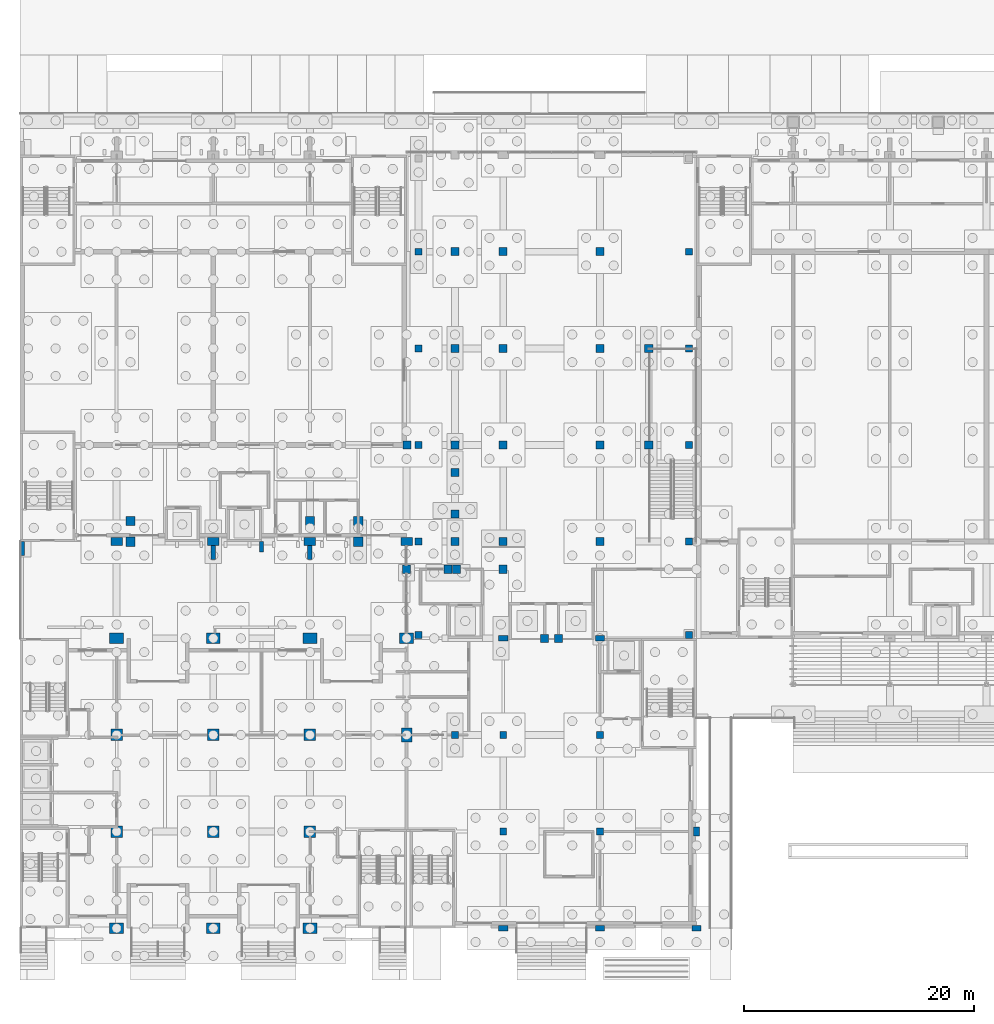
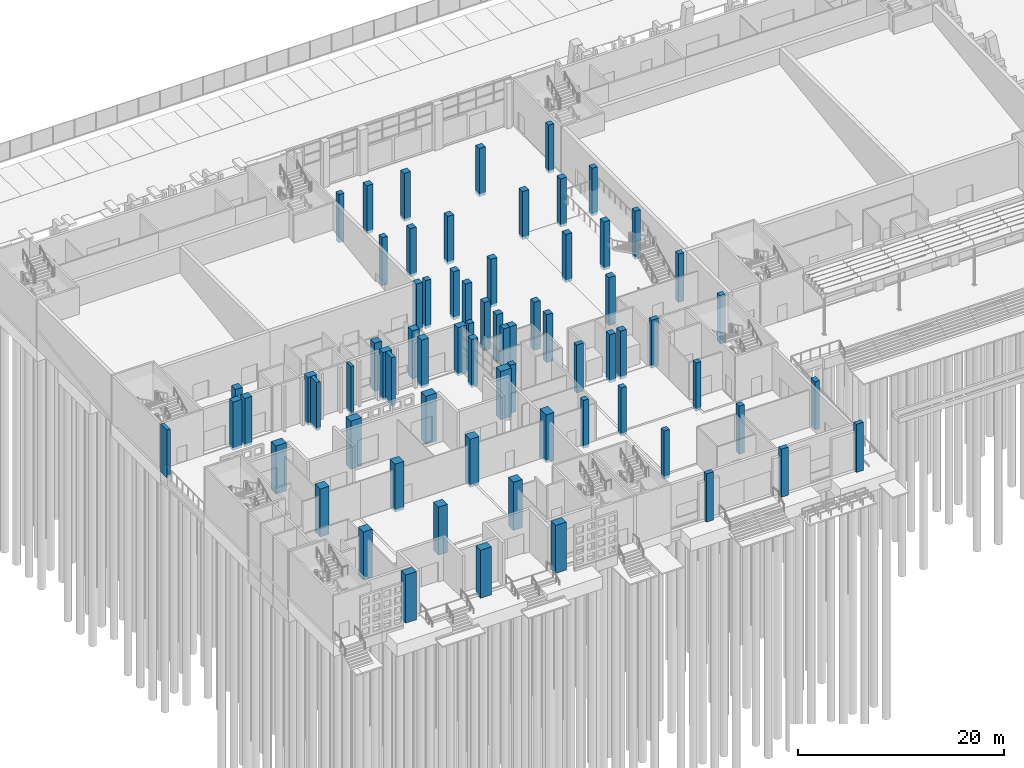
# One storey, part 13 of 129: 71 columns.
"""IFC4 building model written with IfcOpenShell, lengths in metres."""

from ifc_helpers import new_model, si_unit, direction, frame, origin, origin_2d, place, context, subcontext, project, spatial, rectangle, extrude, material, material_profile, profile_set, type_object, element, save


model = new_model("IFC4")

# Units and contexts
model_context = context("Model", 3, precision=1e-05, world=origin(), true_north=direction((0.0, 1.0)))
body_context = subcontext(model_context, "Body", "Model", "MODEL_VIEW")
ifc_project = project(units=[si_unit("LENGTHUNIT", "METRE"), si_unit("AREAUNIT", "SQUARE_METRE"), si_unit("VOLUMEUNIT", "CUBIC_METRE"), si_unit("PLANEANGLEUNIT", "RADIAN"), si_unit("MASSUNIT", "GRAM", prefix="KILO")], contexts=[model_context])

# Site, building, storey
site_placement = place(None, origin())
site = spatial("IfcSite", under=ifc_project, at=site_placement, CompositionType="ELEMENT")
building_placement = place(site_placement, origin())
building = spatial("IfcBuilding", under=site, at=building_placement, Name="Kiln Court Media Centre", CompositionType="ELEMENT")
storey_placement = place(building_placement, origin())
storey = spatial("IfcBuildingStorey", under=building, at=storey_placement, Name="L00", CompositionType="ELEMENT", Elevation=0.0)

# Columns
ifc_material_1 = material(Name="Concrete C40/50", Category="concrete")
ifc_material_profile_1 = material_profile(ifc_material_1, rectangle(XDim=1.0, YDim=1.0, at=origin_2d()), Name="RC 1000x1000")
ifc_profile_set_1 = profile_set([ifc_material_profile_1], Name="Concrete C40/50")
column_type_1 = type_object("IfcColumnType", Name="Concrete C40/50 column 1000x1000", PredefinedType="COLUMN", material=ifc_profile_set_1)
for number, where, z_axis, x_axis, name in (
    (1, (8.39990234375, 8.39990234375, -0.300048828125), (0.0, 0.0, 1.0), (1.0, 0.0, 0.0), "L00-C-1001"),
    (2, (8.39990234375, 16.800048828125, -0.300048828125), (0.0, 0.0, 1.0), (1.0, 0.0, 0.0), "L00-C-1002"),
    (3, (16.800048828125, 8.39990234375, -0.300048828125), (0.0, 0.0, 1.0), (1.0, 0.0, 0.0), "L00-C-1005"),
    (4, (16.800048828125, 16.800048828125, -0.300048828125), (0.0, 0.0, 1.0), (1.0, 0.0, 0.0), "L00-C-1006"),
    (5, (25.199951171875, 8.39990234375, -0.300048828125), (0.0, 0.0, 1.0), (1.0, 0.0, 0.0), "L00-C-1009"),
    (6, (25.199951171875, 16.800048828125, -0.300048828125), (0.0, 0.0, 1.0), (1.0, 0.0, 0.0), "L00-C-1010"),
):
    element("IfcColumn", number, at=place(storey_placement, frame(where, z_axis=z_axis, x_axis=x_axis)), inside=storey, type_object=column_type_1, Name=name, PredefinedType="COLUMN", context=body_context, shape_type="SweptSolid", body=[
        extrude(rectangle(XDim=1.0, YDim=1.0, at=origin_2d()), origin(), (0.0, 0.0, 1.0), 5.699951171875),
    ])
ifc_material_2 = material(Name="Concrete C40/50", Category="concrete")
ifc_material_profile_2 = material_profile(ifc_material_2, rectangle(XDim=1.0, YDim=0.699951171875, at=origin_2d()), Name="RC 1000x700")
ifc_profile_set_2 = profile_set([ifc_material_profile_2], Name="Concrete C40/50")
column_type_2 = type_object("IfcColumnType", Name="Concrete C40/50 column 1000x700", PredefinedType="COLUMN", material=ifc_profile_set_2)
for number, where, z_axis, x_axis, name in (
    (7, (8.39990234375, 33.60009765625, -0.300048828125), (0.0, 0.0, 1.0), (1.0, 0.0, 0.0), "L00-C-1024"),
    (8, (16.800048828125, 33.60009765625, -0.300048828125), (0.0, 0.0, 1.0), (1.0, 0.0, 0.0), "L00-C-1026"),
    (9, (25.199951171875, 33.60009765625, -0.300048828125), (0.0, 0.0, 1.0), (1.0, 0.0, 0.0), "L00-C-1028"),
    (10, (33.60009765625, 33.60009765625, -0.300048828125), (0.0, 0.0, 1.0), (1.0, 0.0, 0.0), "L00-C-1030"),
):
    element("IfcColumn", number, at=place(storey_placement, frame(where, z_axis=z_axis, x_axis=x_axis)), inside=storey, type_object=column_type_2, Name=name, PredefinedType="COLUMN", context=body_context, shape_type="SweptSolid", body=[
        extrude(rectangle(XDim=1.0, YDim=0.699951171875, at=origin_2d()), origin(), (0.0, 0.0, 1.0), 5.699951171875),
    ])
ifc_material_3 = material(Name="Concrete C40/50", Category="concrete")
ifc_material_profile_3 = material_profile(ifc_material_3, rectangle(XDim=1.199951171875, YDim=0.89990234375, at=origin_2d()), Name="RC 1200x900")
ifc_profile_set_3 = profile_set([ifc_material_profile_3], Name="Concrete C40/50")
column_type_3 = type_object("IfcColumnType", Name="Concrete C40/50 column 1200x900", PredefinedType="COLUMN", material=ifc_profile_set_3)
for number, where, z_axis, x_axis, name in (
    (11, (8.39990234375, 0.0, -0.300048828125), (0.0, 0.0, 1.0), (1.0, 0.0, 0.0), "L00-C-1000"),
    (12, (8.39990234375, 25.199951171875, -0.300048828125), (0.0, 0.0, 1.0), (1.0, 0.0, 0.0), "L00-C-1003"),
    (13, (16.800048828125, 0.0, -0.300048828125), (0.0, 0.0, 1.0), (1.0, 0.0, 0.0), "L00-C-1004"),
    (14, (16.800048828125, 25.199951171875, -0.300048828125), (0.0, 0.0, 1.0), (1.0, 0.0, 0.0), "L00-C-1007"),
    (15, (25.199951171875, 0.0, -0.300048828125), (0.0, 0.0, 1.0), (1.0, 0.0, 0.0), "L00-C-1008"),
    (16, (25.199951171875, 25.199951171875, -0.300048828125), (0.0, 0.0, 1.0), (1.0, 0.0, 0.0), "L00-C-1011"),
    (17, (33.60009765625, 16.800048828125, -0.300048828125), (0.0, 0.0, 1.0), (0.0, 1.0, 0.0), "L00-C-1012"),
    (18, (33.60009765625, 25.199951171875, -0.300048828125), (0.0, 0.0, 1.0), (1.0, 0.0, 0.0), "L00-C-1013"),
):
    element("IfcColumn", number, at=place(storey_placement, frame(where, z_axis=z_axis, x_axis=x_axis)), inside=storey, type_object=column_type_3, Name=name, PredefinedType="COLUMN", context=body_context, shape_type="SweptSolid", body=[
        extrude(rectangle(XDim=1.199951171875, YDim=0.89990234375, at=origin_2d()), origin(), (0.0, 0.0, 1.0), 5.699951171875),
    ])
ifc_material_4 = material(Name="Concrete C40/50", Category="concrete")
ifc_material_profile_4 = material_profile(ifc_material_4, rectangle(XDim=0.60009765625, YDim=0.60009765625, at=origin_2d()), Name="RC 600x600")
ifc_profile_set_4 = profile_set([ifc_material_profile_4], Name="Concrete C40/50")
column_type_4 = type_object("IfcColumnType", Name="Concrete C40/50 column 600x600", PredefinedType="COLUMN", material=ifc_profile_set_4)
for number, where, z_axis, x_axis, name in (
    (19, (42.0, 8.39990234375, -0.300048828125), (0.0, 0.0, 1.0), (1.0, 0.0, 0.0), "L00-C-1015"),
    (20, (42.0, 16.800048828125, -0.300048828125), (0.0, 0.0, 1.0), (1.0, 0.0, 0.0), "L00-C-1016"),
    (21, (50.39990234375, 8.39990234375, -0.300048828125), (0.0, 0.0, 1.0), (1.0, 0.0, 0.0), "L00-C-1019"),
    (22, (50.39990234375, 16.800048828125, -0.300048828125), (0.0, 0.0, 1.0), (1.0, 0.0, 0.0), "L00-C-1020"),
    (23, (34.64990234375, 25.5, -0.300048828125), (0.0, 0.0, 1.0), (1.0, 0.0, 0.0), "L00-C-1068"),
    (24, (34.64990234375, 33.60009765625, -0.300048828125), (0.0, 0.0, 1.0), (1.0, 0.0, 0.0), "L00-C-1069"),
    (25, (34.64990234375, 42.0, -0.300048828125), (0.0, 0.0, 1.0), (1.0, 0.0, 0.0), "L00-C-1070"),
    (26, (34.64990234375, 50.39990234375, -0.300048828125), (0.0, 0.0, 1.0), (1.0, 0.0, 0.0), "L00-C-1071"),
    (27, (34.64990234375, 58.800048828125, -0.300048828125), (0.0, 0.0, 1.0), (1.0, 0.0, 0.0), "L00-C-1072"),
    (28, (58.14990234375, 25.5, -0.300048828125), (0.0, 0.0, 1.0), (1.0, 0.0, 0.0), "L00-C-1074"),
    (29, (58.14990234375, 33.60009765625, -0.300048828125), (0.0, 0.0, 1.0), (1.0, 0.0, 0.0), "L00-C-1075"),
    (30, (58.14990234375, 42.0, -0.300048828125), (0.0, 0.0, 1.0), (1.0, 0.0, 0.0), "L00-C-1076"),
    (31, (58.14990234375, 50.39990234375, -0.300048828125), (0.0, 0.0, 1.0), (1.0, 0.0, 0.0), "L00-C-1077"),
    (32, (58.14990234375, 58.800048828125, -0.300048828125), (0.0, 0.0, 1.0), (1.0, 0.0, 0.0), "L00-C-1078"),
    (33, (37.801025390625, 16.800048828125, -0.300048828125), (0.0, 0.0, 1.0), (1.0, 0.0, 0.0), "L00-C-1117"),
):
    element("IfcColumn", number, at=place(storey_placement, frame(where, z_axis=z_axis, x_axis=x_axis)), inside=storey, type_object=column_type_4, Name=name, PredefinedType="COLUMN", context=body_context, shape_type="SweptSolid", body=[
        extrude(rectangle(XDim=0.60009765625, YDim=0.60009765625, at=origin_2d()), origin(), (0.0, 0.0, 1.0), 5.699951171875),
    ])
ifc_material_5 = material(Name="Concrete C40/50", Category="concrete")
ifc_material_profile_5 = material_profile(ifc_material_5, rectangle(XDim=0.699951171875, YDim=0.699951171875, at=origin_2d()), Name="RC 700x700")
ifc_profile_set_5 = profile_set([ifc_material_profile_5], Name="Concrete C40/50")
column_type_5 = type_object("IfcColumnType", Name="Concrete C40/50 column 700x700", PredefinedType="COLUMN", material=ifc_profile_set_5)
for number, where, z_axis, x_axis, name in (
    (34, (42.0, 33.60009765625, -0.300048828125), (0.0, 0.0, 1.0), (1.0, 0.0, 0.0), "L00-C-1031"),
    (35, (42.0, 42.0, -0.300048828125), (0.0, 0.0, 1.0), (1.0, 0.0, 0.0), "L00-C-1032"),
    (36, (42.0, 50.39990234375, -0.300048828125), (0.0, 0.0, 1.0), (1.0, 0.0, 0.0), "L00-C-1033"),
    (37, (42.0, 58.800048828125, -0.300048828125), (0.0, 0.0, 1.0), (1.0, 0.0, 0.0), "L00-C-1034"),
    (38, (50.39990234375, 33.60009765625, -0.300048828125), (0.0, 0.0, 1.0), (1.0, 0.0, 0.0), "L00-C-1036"),
    (39, (50.39990234375, 42.0, -0.300048828125), (0.0, 0.0, 1.0), (1.0, 0.0, 0.0), "L00-C-1037"),
    (40, (50.39990234375, 50.39990234375, -0.300048828125), (0.0, 0.0, 1.0), (1.0, 0.0, 0.0), "L00-C-1038"),
    (41, (50.39990234375, 58.800048828125, -0.300048828125), (0.0, 0.0, 1.0), (1.0, 0.0, 0.0), "L00-C-1039"),
    (42, (33.60009765625, 31.200927734375, -0.300048828125), (0.0, 0.0, 1.0), (1.0, 0.0, 0.0), "L00-C-1094"),
    (43, (37.199951171875, 31.199951171875, -0.300048828125), (0.0, 0.0, 1.0), (1.0, 0.0, 0.0), "L00-C-1095"),
    (44, (42.0, 31.200927734375, -0.300048828125), (0.0, 0.0, 1.0), (1.0, 0.0, 0.0), "L00-C-1096"),
    (45, (54.65087890625, 42.0, -0.300048828125), (0.0, 0.0, 1.0), (1.0, 0.0, 0.0), "L00-C-1097"),
    (46, (54.65087890625, 50.39990234375, -0.300048828125), (0.0, 0.0, 1.0), (1.0, 0.0, 0.0), "L00-C-1098"),
    (47, (37.919921875, 31.199951171875, -0.300048828125), (0.0, 0.0, 1.0), (1.0, 0.0, 0.0), "L00-C-1099"),
    (48, (37.800048828125, 36.0, -0.300048828125), (0.0, 0.0, 1.0), (1.0, 0.0, 0.0), "L00-C-1100"),
    (49, (37.800048828125, 39.60009765625, -0.300048828125), (0.0, 0.0, 1.0), (1.0, 0.0, 0.0), "L00-C-1101"),
    (50, (37.801025390625, 33.60009765625, -0.300048828125), (0.0, 0.0, 1.0), (1.0, 0.0, 0.0), "L00-C-1103"),
    (51, (37.801025390625, 42.0, -0.300048828125), (0.0, 0.0, 1.0), (1.0, 0.0, 0.0), "L00-C-1104"),
    (52, (37.801025390625, 50.39990234375, -0.300048828125), (0.0, 0.0, 1.0), (1.0, 0.0, 0.0), "L00-C-1105"),
    (53, (37.801025390625, 58.800048828125, -0.300048828125), (0.0, 0.0, 1.0), (1.0, 0.0, 0.0), "L00-C-1106"),
    (54, (33.64990234375, 42.0, -0.300048828125), (0.0, 0.0, 1.0), (1.0, 0.0, 0.0), "L00-C-1107"),
    (55, (45.59912109375, 25.199951171875, -0.300048828125), (0.0, 0.0, 1.0), (1.0, 0.0, 0.0), "L00-C-1108"),
    (56, (46.801025390625, 25.199951171875, -0.300048828125), (0.0, 0.0, 1.0), (1.0, 0.0, 0.0), "L00-C-1109"),
):
    element("IfcColumn", number, at=place(storey_placement, frame(where, z_axis=z_axis, x_axis=x_axis)), inside=storey, type_object=column_type_5, Name=name, PredefinedType="COLUMN", context=body_context, shape_type="SweptSolid", body=[
        extrude(rectangle(XDim=0.699951171875, YDim=0.699951171875, at=origin_2d()), origin(), (0.0, 0.0, 1.0), 5.699951171875),
    ])
ifc_material_6 = material(Name="Concrete C40/50", Category="concrete")
ifc_material_profile_6 = material_profile(ifc_material_6, rectangle(XDim=0.800048828125, YDim=0.5, at=origin_2d()), Name="RC 800x500")
ifc_profile_set_6 = profile_set([ifc_material_profile_6], Name="Concrete C40/50")
column_type_6 = type_object("IfcColumnType", Name="Concrete C40/50 column 800x500", PredefinedType="COLUMN", material=ifc_profile_set_6)
for number, where, z_axis, x_axis, name in (
    (57, (42.0, 0.0, -0.300048828125), (0.0, 0.0, 1.0), (1.0, 0.0, 0.0), "L00-C-1014"),
    (58, (42.0, 25.199951171875, -0.300048828125), (0.0, 0.0, 1.0), (1.0, 0.0, 0.0), "L00-C-1017"),
    (59, (50.39990234375, 0.0, -0.300048828125), (0.0, 0.0, 1.0), (1.0, 0.0, 0.0), "L00-C-1018"),
    (60, (50.39990234375, 25.199951171875, -0.300048828125), (0.0, 0.0, 1.0), (1.0, 0.0, 0.0), "L00-C-1021"),
    (61, (58.800048828125, 0.0, -0.300048828125), (0.0, 0.0, 1.0), (1.0, 0.0, 0.0), "L00-C-1022"),
    (62, (58.800048828125, 8.39990234375, -0.300048828125), (0.0, 0.0, 1.0), (0.0, 1.0, 0.0), "L00-C-1023"),
):
    element("IfcColumn", number, at=place(storey_placement, frame(where, z_axis=z_axis, x_axis=x_axis)), inside=storey, type_object=column_type_6, Name=name, PredefinedType="COLUMN", context=body_context, shape_type="SweptSolid", body=[
        extrude(rectangle(XDim=0.800048828125, YDim=0.5, at=origin_2d()), origin(), (0.0, 0.0, 1.0), 5.699951171875),
    ])
ifc_material_7 = material(Name="Concrete C40/50", Category="concrete")
ifc_material_profile_7 = material_profile(ifc_material_7, rectangle(XDim=0.800048828125, YDim=0.800048828125, at=origin_2d()), Name="RC 800x800")
ifc_profile_set_7 = profile_set([ifc_material_profile_7], Name="Concrete C40/50")
column_type_7 = type_object("IfcColumnType", Name="Concrete C40/50 column 800x800", PredefinedType="COLUMN", material=ifc_profile_set_7)
for number, where, z_axis, x_axis, name in (
    (63, (9.60009765625, 35.39990234375, -0.300048828125), (0.0, 0.0, 1.0), (1.0, 0.0, 0.0), "L00-C-1110"),
    (64, (9.60107421875, 33.60009765625, -0.300048828125), (0.0, 0.0, 1.0), (1.0, 0.0, 0.0), "L00-C-1111"),
    (65, (25.199951171875, 35.39892578125, -0.300048828125), (0.0, 0.0, 1.0), (1.0, 0.0, 0.0), "L00-C-1112"),
    (66, (29.39892578125, 33.60009765625, -0.300048828125), (0.0, 0.0, 1.0), (1.0, 0.0, 0.0), "L00-C-1113"),
    (67, (29.39990234375, 35.39990234375, -0.300048828125), (0.0, 0.0, 1.0), (1.0, 0.0, 0.0), "L00-C-1114"),
):
    element("IfcColumn", number, at=place(storey_placement, frame(where, z_axis=z_axis, x_axis=x_axis)), inside=storey, type_object=column_type_7, Name=name, PredefinedType="COLUMN", context=body_context, shape_type="SweptSolid", body=[
        extrude(rectangle(XDim=0.800048828125, YDim=0.800048828125, at=origin_2d()), origin(), (0.0, 0.0, 1.0), 5.699951171875),
    ])
ifc_material_8 = material(Name="Concrete C40/50", Category="concrete")
ifc_material_profile_8 = material_profile(ifc_material_8, rectangle(XDim=0.35009765625, YDim=0.89990234375, at=origin_2d()), Name="RC 350x900")
ifc_profile_set_8 = profile_set([ifc_material_profile_8], Name="Concrete C40/50")
column_type_8 = type_object("IfcColumnType", Name="Concrete C40/50 pilaster rib 350x900", PredefinedType="PILASTER", material=ifc_profile_set_8)
column_placement = place(storey_placement, frame((21.0, 33.14990234375, -0.300048828125), z_axis=(0.0, 0.0, 1.0), x_axis=(1.0, 0.0, 0.0)))
element("IfcColumn", 68, at=column_placement, inside=storey, type_object=column_type_8, Name="V4 S rib L00", PredefinedType="PILASTER", context=body_context, shape_type="SweptSolid", body=[
    extrude(rectangle(XDim=0.35009765625, YDim=0.89990234375, at=origin_2d()), origin(), (0.0, 0.0, 1.0), 5.699951171875),
])
ifc_material_9 = material(Name="Concrete C40/50", Category="concrete")
ifc_material_profile_9 = material_profile(ifc_material_9, rectangle(XDim=0.39990234375, YDim=1.199951171875, at=origin_2d()), Name="RC 400x1200")
ifc_profile_set_9 = profile_set([ifc_material_profile_9], Name="Concrete C40/50")
column_type_9 = type_object("IfcColumnType", Name="Concrete C40/50 pilaster rib 400x1200", PredefinedType="PILASTER", material=ifc_profile_set_9)
for number, where, z_axis, x_axis, name in (
    (69, (0.199951171875, 33.0, -0.300048828125), (0.0, 0.0, 1.0), (1.0, 0.0, 0.0), "V4 S rib L00"),
    (70, (16.800048828125, 32.64990234375, -0.300048828125), (0.0, 0.0, 1.0), (1.0, 0.0, 0.0), "V4 S rib L00"),
    (71, (25.199951171875, 32.64990234375, -0.300048828125), (0.0, 0.0, 1.0), (1.0, 0.0, 0.0), "V4 S rib L00"),
):
    element("IfcColumn", number, at=place(storey_placement, frame(where, z_axis=z_axis, x_axis=x_axis)), inside=storey, type_object=column_type_9, Name=name, PredefinedType="PILASTER", context=body_context, shape_type="SweptSolid", body=[
        extrude(rectangle(XDim=0.39990234375, YDim=1.199951171875, at=origin_2d()), origin(), (0.0, 0.0, 1.0), 5.699951171875),
    ])

save(model, "model.ifc")
